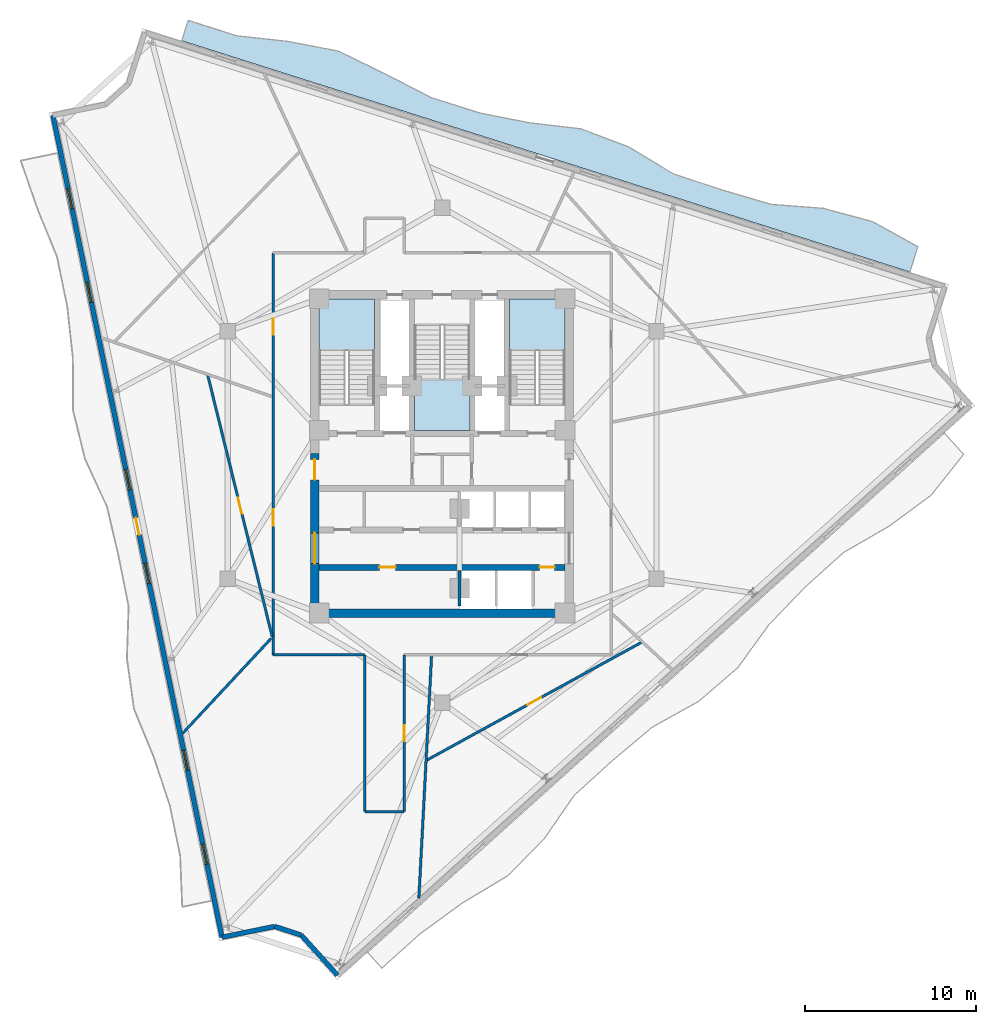
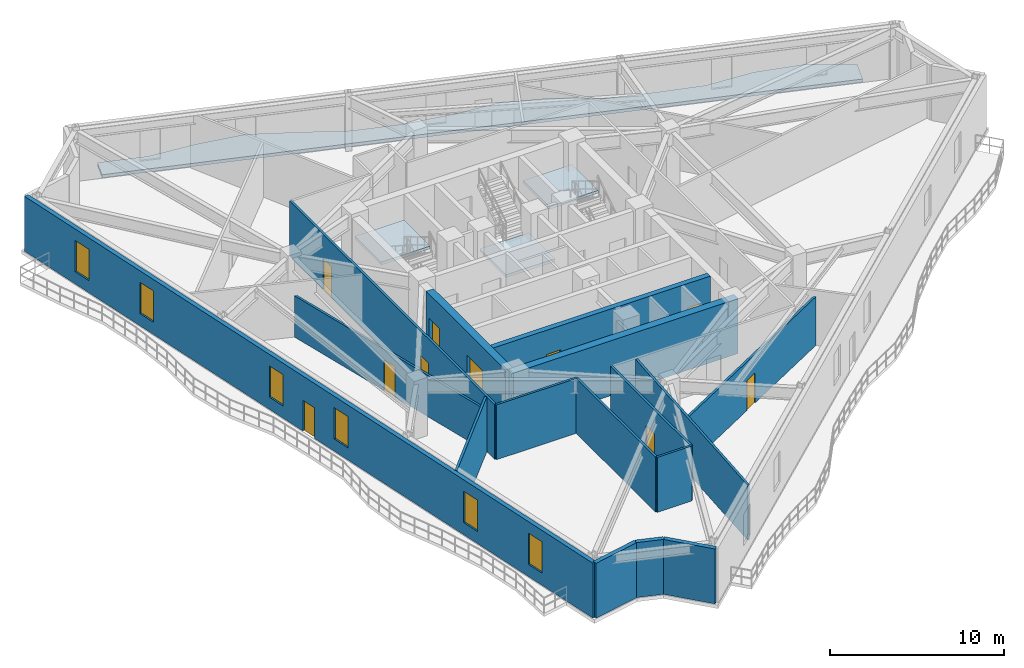
# One storey, part 5 of 12: 17 walls, 10 doors, 6 windows, 4 slabs, 16 openings, 3 elements without a shape of their own.
"""IFC4 building model written with IfcOpenShell, lengths in metres."""

from ifc_helpers import new_model, si_unit, direction, frame, frame_2d, origin, place, context, subcontext, project, spatial, polyline, rectangle, outline, extrude, material, layer, layer_set, type_object, element, fill, aggregate, save


model = new_model("IFC4")

# Units and contexts
model_context = context("Model", 3, precision=1e-05, world=origin(), true_north=direction((0.0, 1.0)))
body_context = subcontext(model_context, "Body", "Model", "MODEL_VIEW")
ifc_project = project(units=[si_unit("LENGTHUNIT", "METRE"), si_unit("AREAUNIT", "SQUARE_METRE"), si_unit("VOLUMEUNIT", "CUBIC_METRE"), si_unit("PLANEANGLEUNIT", "RADIAN"), si_unit("MASSUNIT", "GRAM", prefix="KILO")], contexts=[model_context])

# Site, building, storey
site_placement = place(None, origin())
site = spatial("IfcSite", under=ifc_project, at=site_placement, CompositionType="ELEMENT")
building_placement = place(site_placement, origin())
building = spatial("IfcBuilding", under=site, at=building_placement, Name="Apsidion Concourse Tower", CompositionType="ELEMENT")
storey_placement = place(building_placement, frame((0.0, 0.0, 248.60009765625)))
storey = spatial("IfcBuildingStorey", under=building, at=storey_placement, Name="L58", CompositionType="ELEMENT", Elevation=248.60009765625)

# Slab
ifc_material_1 = material(Name="Concrete C50/60", Category="concrete")
ifc_layer_1 = layer(ifc_material_1, 0.219970703125)
ifc_layer_set_1 = layer_set([ifc_layer_1], Name="Concrete C50/60")
slab_type_1 = type_object("IfcSlabType", Name="SL-BAL-220", PredefinedType="FLOOR", material=ifc_layer_set_1)
slab_1_placement = place(storey_placement, frame((0.0, 0.0, -0.22021484375)))
element("IfcSlab", 1, at=slab_1_placement, inside=storey, type_object=slab_type_1, Name="L58 Face 3 Rippling Balcony Slab", PredefinedType="FLOOR", context=body_context, shape_type="SweptSolid", body=[
    extrude(outline(polyline([(27.39599609375, 10.727294921875), (24.552978515625, 11.63037109375), (21.7099609375, 12.533447265625), (18.86669921875, 13.436279296875), (16.023681640625, 14.33935546875), (13.1806640625, 15.2421875), (10.337646484375, 16.145263671875), (7.49462890625, 17.04833984375), (4.651611328125, 17.951416015625), (1.80859375, 18.854248046875), (-1.03466796875, 19.75732421875), (-3.877685546875, 20.660400390625), (-6.720703125, 21.563232421875), (-9.563720703125, 22.46630859375), (-12.40673828125, 23.369140625), (-15.25, 24.272216796875), (-14.87158203125, 25.463623046875), (-12.028564453125, 24.560546875), (-9.00390625, 24.229248046875), (-6.055419921875, 23.657958984375), (-3.3466796875, 22.33203125), (-0.65625, 20.948486328125), (2.186767578125, 20.045654296875), (5.131103515625, 19.461669921875), (8.14892578125, 19.1083984375), (10.940185546875, 18.042724609375), (13.568603515625, 16.463623046875), (16.402099609375, 15.53076171875), (19.264404296875, 14.68798828125), (22.320068359375, 14.45458984375), (25.203369140625, 13.678466796875), (27.865234375, 12.20458984375), (27.39599609375, 10.727294921875)])), origin(), (0.0, 0.0, 1.0), 0.22021484375),
])

# Stair, slab
ifc_material_2 = material(Name="Precast concrete C40/50", Category="concrete")
stair_type = type_object("IfcStairType", Name="ST-DL-1550", PredefinedType="HALF_TURN_STAIR", material=ifc_material_2)
stair_1_placement = place(storey_placement, origin())
stair_1 = element("IfcStair", 2, at=stair_1_placement, inside=storey, type_object=stair_type, Name="L58 Protected Core Exit Stair ST1", PredefinedType="HALF_TURN_STAIR")
ifc_layer_2 = layer(ifc_material_1, 0.199951171875)
ifc_layer_set_2 = layer_set([ifc_layer_2], Name="Concrete C50/60")
slab_type_2 = type_object("IfcSlabType", Name="SL-ST-LAND-200", PredefinedType="LANDING", material=ifc_layer_set_2)
slab_2_placement = place(storey_placement, frame((0.0, 0.0, 1.849853515625)))
slab_2 = element("IfcSlab", 3, at=slab_2_placement, type_object=slab_type_2, Name="ST1 landing 1", PredefinedType="LANDING", context=body_context, shape_type="SweptSolid", body=[
    extrude(outline(polyline([(-3.949951171875, 6.135009765625), (-3.949951171875, 9.14990234375), (-7.199951171875, 9.14990234375), (-7.199951171875, 6.135009765625), (-3.949951171875, 6.135009765625)])), origin(), (0.0, 0.0, 1.0), 0.199951171875),
])
aggregate(stair_1, [slab_2])

stair_2_placement = place(storey_placement, origin())
stair_2 = element("IfcStair", 4, at=stair_2_placement, inside=storey, type_object=stair_type, Name="L58 Protected Core Exit Stair ST2", PredefinedType="HALF_TURN_STAIR")
slab_3_placement = place(storey_placement, frame((0.0, 0.0, 1.849853515625)))
slab_3 = element("IfcSlab", 5, at=slab_3_placement, type_object=slab_type_2, Name="ST2 landing 1", PredefinedType="LANDING", context=body_context, shape_type="SweptSolid", body=[
    extrude(outline(polyline([(7.199951171875, 6.135009765625), (7.199951171875, 9.14990234375), (3.949951171875, 9.14990234375), (3.949951171875, 6.135009765625), (7.199951171875, 6.135009765625)])), origin(), (0.0, 0.0, 1.0), 0.199951171875),
])
aggregate(stair_2, [slab_3])

stair_3_placement = place(storey_placement, origin())
stair_3 = element("IfcStair", 6, at=stair_3_placement, inside=storey, type_object=stair_type, Name="L58 Protected Core Exit Stair ST3", PredefinedType="HALF_TURN_STAIR")
slab_4_placement = place(storey_placement, frame((0.0, 0.0, 1.849853515625)))
slab_4 = element("IfcSlab", 7, at=slab_4_placement, type_object=slab_type_2, Name="ST3 landing 1", PredefinedType="LANDING", context=body_context, shape_type="SweptSolid", body=[
    extrude(outline(polyline([(-1.625, 4.465087890625), (-1.625, 1.449951171875), (1.625, 1.449951171875), (1.625, 4.465087890625), (-1.625, 4.465087890625)])), origin(), (0.0, 0.0, 1.0), 0.199951171875),
])
aggregate(stair_3, [slab_4])

# Walls
ifc_layer_3 = layer(ifc_material_2, 0.280029296875)
ifc_layer_set_3 = layer_set([ifc_layer_3], Name="Precast concrete C40/50")
wall_type_1 = type_object("IfcWallType", Name="WL-EXT-280", PredefinedType="STANDARD", material=ifc_layer_set_3)
wall_1_placement = place(storey_placement, frame((-6.13330078125, -30.46044921875, 0.0), z_axis=(0.0, 0.0, 1.0), x_axis=(-0.669131702868, 0.743143838175, 0.0)))
element("IfcWall", 8, at=wall_1_placement, inside=storey, type_object=wall_type_1, Name="L58 Precast Stone Facade Wall 06", PredefinedType="STANDARD", context=body_context, shape_type="SweptSolid", body=[
    extrude(rectangle(XDim=3.150146484375, YDim=0.280029296875, at=frame_2d((1.5751953125, 0.0))), origin(), (0.0, 0.0, 1.0), 3.849853515625),
])
wall_2_placement = place(storey_placement, frame((-8.2412109375, -28.119384765625, 0.0), z_axis=(0.0, 0.0, 1.0), x_axis=(-0.950036767419, 0.312138015231, 0.0)))
element("IfcWall", 9, at=wall_2_placement, inside=storey, type_object=wall_type_1, Name="L58 Precast Stone Facade Wall 07", PredefinedType="STANDARD", context=body_context, shape_type="SweptSolid", body=[
    extrude(rectangle(XDim=1.648681640625, YDim=0.280029296875, at=frame_2d((0.82421875, 0.0))), origin(), (0.0, 0.0, 1.0), 3.849853515625),
])
wall_3_placement = place(storey_placement, frame((-9.8076171875, -27.604736328125, 0.0), z_axis=(0.0, 0.0, 1.0), x_axis=(-0.979505186658, -0.201418939799, 0.0)))
element("IfcWall", 10, at=wall_3_placement, inside=storey, type_object=wall_type_1, Name="L58 Precast Stone Facade Wall 08", PredefinedType="STANDARD", context=body_context, shape_type="SweptSolid", body=[
    extrude(rectangle(XDim=3.150146484375, YDim=0.280029296875, at=frame_2d((1.5751953125, 0.0))), origin(), (0.0, 0.0, 1.0), 3.849853515625),
])

# Wall, openings, door, windows
wall_4_placement = place(storey_placement, frame((-12.893310546875, -28.2392578125, 0.0), z_axis=(0.0, 0.0, 1.0), x_axis=(-0.201426823496, 0.979503565474, 0.0)))
wall_4 = element("IfcWall", 11, at=wall_4_placement, inside=storey, type_object=wall_type_1, Name="L58 Precast Stone Facade Wall 09", PredefinedType="STANDARD", context=body_context, shape_type="SweptSolid", body=[
    extrude(rectangle(XDim=49.145263671875, YDim=0.280029296875, at=frame_2d((24.57275390625, 0.0))), origin(), (0.0, 0.0, 1.0), 3.849853515625),
])
opening_1_placement = place(wall_4_placement, frame((24.072509765625, 0.0, 0.0)))
opening_1 = element("IfcOpeningElement", 12, at=opening_1_placement, cuts=wall_4, Name="Opening D-T1L", PredefinedType="OPENING", context=body_context, shape_type="SweptSolid", body=[
    extrude(rectangle(XDim=1.0, YDim=2.14990234375, at=frame_2d((0.5, 1.074951171875))), frame((0.0, 0.14990234375, 0.0), z_axis=(0.0, -1.0, 0.0), x_axis=(1.0, 0.0, 0.0)), (0.0, 0.0, 1.0), 0.300048828125),
])
opening_2_placement = place(wall_4_placement, frame((4.37255859375, 0.0, 0.85009765625)))
opening_2 = element("IfcOpeningElement", 13, at=opening_2_placement, cuts=wall_4, Name="Opening WN-06", PredefinedType="OPENING", context=body_context, shape_type="SweptSolid", body=[
    extrude(rectangle(XDim=1.199951171875, YDim=2.199951171875, at=frame_2d((0.60009765625, 1.10009765625))), frame((0.0, 0.14990234375, 0.0), z_axis=(0.0, -1.0, 0.0), x_axis=(1.0, 0.0, 0.0)), (0.0, 0.0, 1.0), 0.300048828125),
])
opening_3_placement = place(wall_4_placement, frame((9.97265625, 0.0, 0.85009765625)))
opening_3 = element("IfcOpeningElement", 14, at=opening_3_placement, cuts=wall_4, Name="Opening WN-06", PredefinedType="OPENING", context=body_context, shape_type="SweptSolid", body=[
    extrude(rectangle(XDim=1.199951171875, YDim=2.199951171875, at=frame_2d((0.60009765625, 1.10009765625))), frame((0.0, 0.14990234375, 0.0), z_axis=(0.0, -1.0, 0.0), x_axis=(1.0, 0.0, 0.0)), (0.0, 0.0, 1.0), 0.300048828125),
])
opening_4_placement = place(wall_4_placement, frame((21.172607421875, 0.0, 0.85009765625)))
opening_4 = element("IfcOpeningElement", 15, at=opening_4_placement, cuts=wall_4, Name="Opening WN-06", PredefinedType="OPENING", context=body_context, shape_type="SweptSolid", body=[
    extrude(rectangle(XDim=1.199951171875, YDim=2.199951171875, at=frame_2d((0.60009765625, 1.10009765625))), frame((0.0, 0.14990234375, 0.0), z_axis=(0.0, -1.0, 0.0), x_axis=(1.0, 0.0, 0.0)), (0.0, 0.0, 1.0), 0.300048828125),
])
opening_5_placement = place(wall_4_placement, frame((26.772705078125, 0.0, 0.85009765625)))
opening_5 = element("IfcOpeningElement", 16, at=opening_5_placement, cuts=wall_4, Name="Opening WN-06", PredefinedType="OPENING", context=body_context, shape_type="SweptSolid", body=[
    extrude(rectangle(XDim=1.199951171875, YDim=2.199951171875, at=frame_2d((0.60009765625, 1.10009765625))), frame((0.0, 0.14990234375, 0.0), z_axis=(0.0, -1.0, 0.0), x_axis=(1.0, 0.0, 0.0)), (0.0, 0.0, 1.0), 0.300048828125),
])
opening_6_placement = place(wall_4_placement, frame((37.97265625, 0.0, 0.85009765625)))
opening_6 = element("IfcOpeningElement", 17, at=opening_6_placement, cuts=wall_4, Name="Opening WN-06", PredefinedType="OPENING", context=body_context, shape_type="SweptSolid", body=[
    extrude(rectangle(XDim=1.199951171875, YDim=2.199951171875, at=frame_2d((0.60009765625, 1.10009765625))), frame((0.0, 0.14990234375, 0.0), z_axis=(0.0, -1.0, 0.0), x_axis=(1.0, 0.0, 0.0)), (0.0, 0.0, 1.0), 0.300048828125),
])
opening_7_placement = place(wall_4_placement, frame((43.572509765625, 0.0, 0.85009765625)))
opening_7 = element("IfcOpeningElement", 18, at=opening_7_placement, cuts=wall_4, Name="Opening WN-06", PredefinedType="OPENING", context=body_context, shape_type="SweptSolid", body=[
    extrude(rectangle(XDim=1.199951171875, YDim=2.199951171875, at=frame_2d((0.60009765625, 1.10009765625))), frame((0.0, 0.14990234375, 0.0), z_axis=(0.0, -1.0, 0.0), x_axis=(1.0, 0.0, 0.0)), (0.0, 0.0, 1.0), 0.300048828125),
])
ifc_material_3 = material(Name="Anodised aluminium EN AW-6063 T6", Category="aluminium")
door_type_1 = type_object("IfcDoorType", Name="DR-TER-1022L", OperationType="SINGLE_SWING_LEFT", PredefinedType="DOOR", material=ifc_material_3)
door_1_placement = place(opening_1_placement, origin())
door_1 = element("IfcDoor", 19, at=door_1_placement, inside=storey, type_object=door_type_1, Name="L58 Balcony Access Door 1", OperationType="SINGLE_SWING_LEFT", OverallHeight=2.14990234375, OverallWidth=1.0, PredefinedType="DOOR", context=body_context, shape_type="SweptSolid", body=[
    extrude(rectangle(XDim=1.0, YDim=2.14990234375, at=frame_2d((0.5, 1.074951171875))), frame((0.0, 0.02490234375, 0.0), z_axis=(0.0, -1.0, 0.0), x_axis=(1.0, 0.0, 0.0)), (0.0, 0.0, 1.0), 0.050048828125),
])
fill(opening_1, door_1)
ifc_material_4 = material(Name="Insulated laminated low-E glass", Category="glass")
window_type = type_object("IfcWindowType", Name="WN-OFF-1224", PartitioningType="SINGLE_PANEL", PredefinedType="WINDOW", material=ifc_material_4)
window_1_placement = place(opening_2_placement, origin())
window_1 = element("IfcWindow", 20, at=window_1_placement, inside=storey, type_object=window_type, Name="L58 Punched Facade Window 9-01", OverallHeight=2.199951171875, OverallWidth=1.199951171875, PartitioningType="SINGLE_PANEL", PredefinedType="WINDOW", context=body_context, shape_type="SweptSolid", body=[
    extrude(rectangle(XDim=1.199951171875, YDim=2.199951171875, at=frame_2d((0.60009765625, 1.10009765625))), frame((0.0, 0.030029296875, 0.0), z_axis=(0.0, -1.0, 0.0), x_axis=(1.0, 0.0, 0.0)), (0.0, 0.0, 1.0), 0.06005859375),
])
fill(opening_2, window_1)
window_2_placement = place(opening_3_placement, origin())
window_2 = element("IfcWindow", 21, at=window_2_placement, inside=storey, type_object=window_type, Name="L58 Punched Facade Window 9-02", OverallHeight=2.199951171875, OverallWidth=1.199951171875, PartitioningType="SINGLE_PANEL", PredefinedType="WINDOW", context=body_context, shape_type="SweptSolid", body=[
    extrude(rectangle(XDim=1.199951171875, YDim=2.199951171875, at=frame_2d((0.60009765625, 1.10009765625))), frame((0.0, 0.030029296875, 0.0), z_axis=(0.0, -1.0, 0.0), x_axis=(1.0, 0.0, 0.0)), (0.0, 0.0, 1.0), 0.06005859375),
])
fill(opening_3, window_2)
window_3_placement = place(opening_4_placement, origin())
window_3 = element("IfcWindow", 22, at=window_3_placement, inside=storey, type_object=window_type, Name="L58 Punched Facade Window 9-04", OverallHeight=2.199951171875, OverallWidth=1.199951171875, PartitioningType="SINGLE_PANEL", PredefinedType="WINDOW", context=body_context, shape_type="SweptSolid", body=[
    extrude(rectangle(XDim=1.199951171875, YDim=2.199951171875, at=frame_2d((0.60009765625, 1.10009765625))), frame((0.0, 0.030029296875, 0.0), z_axis=(0.0, -1.0, 0.0), x_axis=(1.0, 0.0, 0.0)), (0.0, 0.0, 1.0), 0.06005859375),
])
fill(opening_4, window_3)
window_4_placement = place(opening_5_placement, origin())
window_4 = element("IfcWindow", 23, at=window_4_placement, inside=storey, type_object=window_type, Name="L58 Punched Facade Window 9-05", OverallHeight=2.199951171875, OverallWidth=1.199951171875, PartitioningType="SINGLE_PANEL", PredefinedType="WINDOW", context=body_context, shape_type="SweptSolid", body=[
    extrude(rectangle(XDim=1.199951171875, YDim=2.199951171875, at=frame_2d((0.60009765625, 1.10009765625))), frame((0.0, 0.030029296875, 0.0), z_axis=(0.0, -1.0, 0.0), x_axis=(1.0, 0.0, 0.0)), (0.0, 0.0, 1.0), 0.06005859375),
])
fill(opening_5, window_4)
window_5_placement = place(opening_6_placement, origin())
window_5 = element("IfcWindow", 24, at=window_5_placement, inside=storey, type_object=window_type, Name="L58 Punched Facade Window 9-07", OverallHeight=2.199951171875, OverallWidth=1.199951171875, PartitioningType="SINGLE_PANEL", PredefinedType="WINDOW", context=body_context, shape_type="SweptSolid", body=[
    extrude(rectangle(XDim=1.199951171875, YDim=2.199951171875, at=frame_2d((0.60009765625, 1.10009765625))), frame((0.0, 0.030029296875, 0.0), z_axis=(0.0, -1.0, 0.0), x_axis=(1.0, 0.0, 0.0)), (0.0, 0.0, 1.0), 0.06005859375),
])
fill(opening_6, window_5)
window_6_placement = place(opening_7_placement, origin())
window_6 = element("IfcWindow", 25, at=window_6_placement, inside=storey, type_object=window_type, Name="L58 Punched Facade Window 9-08", OverallHeight=2.199951171875, OverallWidth=1.199951171875, PartitioningType="SINGLE_PANEL", PredefinedType="WINDOW", context=body_context, shape_type="SweptSolid", body=[
    extrude(rectangle(XDim=1.199951171875, YDim=2.199951171875, at=frame_2d((0.60009765625, 1.10009765625))), frame((0.0, 0.030029296875, 0.0), z_axis=(0.0, -1.0, 0.0), x_axis=(1.0, 0.0, 0.0)), (0.0, 0.0, 1.0), 0.06005859375),
])
fill(opening_7, window_6)

# Wall
ifc_material_5 = material(Name="Gypsum plasterboard partition")
ifc_layer_4 = layer(ifc_material_5, 0.14990234375)
ifc_layer_set_4 = layer_set([ifc_layer_4], Name="Gypsum plasterboard partition")
wall_type_2 = type_object("IfcWallType", Name="WL-INT-PAR-150", PredefinedType="PARTITIONING", material=ifc_layer_set_4)
wall_5_placement = place(storey_placement, frame((-4.530029296875, -11.699951171875, 0.0), z_axis=(0.0, 0.0, 1.0), x_axis=(-1.0, 0.0, 0.0)))
element("IfcWall", 26, at=wall_5_placement, inside=storey, type_object=wall_type_2, Name="L58 Interior Partition WL-L58-CORR-01", PredefinedType="PARTITIONING", context=body_context, shape_type="SweptSolid", body=[
    extrude(rectangle(XDim=5.369873046875, YDim=0.14990234375, at=frame_2d((2.68505859375, 0.0))), origin(), (0.0, 0.0, 1.0), 3.849853515625),
])

# Wall, openings, doors
wall_6_placement = place(storey_placement, frame((-9.89990234375, -11.699951171875, 0.0), z_axis=(0.0, 0.0, 1.0), x_axis=(0.0, 1.0, 0.0)))
wall_6 = element("IfcWall", 27, at=wall_6_placement, inside=storey, type_object=wall_type_2, Name="L58 Interior Partition WL-L58-CORR-02", PredefinedType="PARTITIONING", context=body_context, shape_type="SweptSolid", body=[
    extrude(rectangle(XDim=23.550048828125, YDim=0.14990234375, at=frame_2d((11.77490234375, 0.0))), origin(), (0.0, 0.0, 1.0), 3.849853515625),
])
opening_8_placement = place(wall_6_placement, frame((7.5673828125, 0.0, 0.0)))
opening_8 = element("IfcOpeningElement", 28, at=opening_8_placement, cuts=wall_6, Name="Opening D-01L", PredefinedType="OPENING", context=body_context, shape_type="SweptSolid", body=[
    extrude(rectangle(XDim=0.949951171875, YDim=2.14990234375, at=frame_2d((0.47509765625, 1.074951171875))), frame((0.0, 0.0849609375, 0.0), z_axis=(0.0, -1.0, 0.0), x_axis=(1.0, 0.0, 0.0)), (0.0, 0.0, 1.0), 0.169921875),
])
opening_9_placement = place(wall_6_placement, frame((18.744140625, 0.0, 0.0)))
opening_9 = element("IfcOpeningElement", 29, at=opening_9_placement, cuts=wall_6, Name="Opening D-01L", PredefinedType="OPENING", context=body_context, shape_type="SweptSolid", body=[
    extrude(rectangle(XDim=0.949951171875, YDim=2.14990234375, at=frame_2d((0.47509765625, 1.074951171875))), frame((0.0, 0.0849609375, 0.0), z_axis=(0.0, -1.0, 0.0), x_axis=(1.0, 0.0, 0.0)), (0.0, 0.0, 1.0), 0.169921875),
])
ifc_material_6 = material(Name="Brushed stainless steel 316", Category="steel")
door_type_2 = type_object("IfcDoorType", Name="DR-INT-D01L", OperationType="SINGLE_SWING_LEFT", PredefinedType="DOOR", material=ifc_material_6)
door_2_placement = place(opening_8_placement, origin())
door_2 = element("IfcDoor", 30, at=door_2_placement, inside=storey, type_object=door_type_2, Name="L58 Corridor Entry Door 01", OperationType="SINGLE_SWING_LEFT", OverallHeight=2.14990234375, OverallWidth=0.949951171875, PredefinedType="DOOR", context=body_context, shape_type="SweptSolid", body=[
    extrude(rectangle(XDim=0.949951171875, YDim=2.14990234375, at=frame_2d((0.47509765625, 1.074951171875))), frame((0.0, 0.02490234375, 0.0), z_axis=(0.0, -1.0, 0.0), x_axis=(1.0, 0.0, 0.0)), (0.0, 0.0, 1.0), 0.050048828125),
])
fill(opening_8, door_2)
door_3_placement = place(opening_9_placement, origin())
door_3 = element("IfcDoor", 31, at=door_3_placement, inside=storey, type_object=door_type_2, Name="L58 Corridor Entry Door 07", OperationType="SINGLE_SWING_LEFT", OverallHeight=2.14990234375, OverallWidth=0.949951171875, PredefinedType="DOOR", context=body_context, shape_type="SweptSolid", body=[
    extrude(rectangle(XDim=0.949951171875, YDim=2.14990234375, at=frame_2d((0.47509765625, 1.074951171875))), frame((0.0, 0.02490234375, 0.0), z_axis=(0.0, -1.0, 0.0), x_axis=(1.0, 0.0, 0.0)), (0.0, 0.0, 1.0), 0.050048828125),
])
fill(opening_9, door_3)

# Wall, opening, door
wall_7_placement = place(storey_placement, frame((-2.219970703125, -11.699951171875, 0.0), z_axis=(0.0, 0.0, 1.0), x_axis=(0.0, -1.0, 0.0)))
wall_7 = element("IfcWall", 32, at=wall_7_placement, inside=storey, type_object=wall_type_2, Name="L58 Interior Partition WL-L58-CORR-10", PredefinedType="PARTITIONING", context=body_context, shape_type="SweptSolid", body=[
    extrude(rectangle(XDim=9.179931640625, YDim=0.14990234375, at=frame_2d((4.58984375, 0.0))), origin(), (0.0, 0.0, 1.0), 3.849853515625),
])
opening_10_placement = place(wall_7_placement, frame((4.114990234375, 0.0, 0.0)))
opening_10 = element("IfcOpeningElement", 33, at=opening_10_placement, cuts=wall_7, Name="Opening D-01R", PredefinedType="OPENING", context=body_context, shape_type="SweptSolid", body=[
    extrude(rectangle(XDim=0.949951171875, YDim=2.14990234375, at=frame_2d((0.47509765625, 1.074951171875))), frame((0.0, 0.0849609375, 0.0), z_axis=(0.0, -1.0, 0.0), x_axis=(1.0, 0.0, 0.0)), (0.0, 0.0, 1.0), 0.169921875),
])
door_type_3 = type_object("IfcDoorType", Name="DR-INT-D01R", OperationType="SINGLE_SWING_RIGHT", PredefinedType="DOOR", material=ifc_material_6)
door_4_placement = place(opening_10_placement, origin())
door_4 = element("IfcDoor", 34, at=door_4_placement, inside=storey, type_object=door_type_3, Name="L58 Corridor Entry Door 02", OperationType="SINGLE_SWING_RIGHT", OverallHeight=2.14990234375, OverallWidth=0.949951171875, PredefinedType="DOOR", context=body_context, shape_type="SweptSolid", body=[
    extrude(rectangle(XDim=0.949951171875, YDim=2.14990234375, at=frame_2d((0.47509765625, 1.074951171875))), frame((0.0, 0.02490234375, 0.0), z_axis=(0.0, -1.0, 0.0), x_axis=(1.0, 0.0, 0.0)), (0.0, 0.0, 1.0), 0.050048828125),
])
fill(opening_10, door_4)

# Walls
wall_8_placement = place(storey_placement, frame((-2.219970703125, -20.8798828125, 0.0), z_axis=(0.0, 0.0, 1.0), x_axis=(-1.0, 0.0, 0.0)))
element("IfcWall", 35, at=wall_8_placement, inside=storey, type_object=wall_type_2, Name="L58 Interior Partition WL-L58-CORR-11", PredefinedType="PARTITIONING", context=body_context, shape_type="SweptSolid", body=[
    extrude(rectangle(XDim=2.31005859375, YDim=0.14990234375, at=frame_2d((1.155029296875, 0.0))), origin(), (0.0, 0.0, 1.0), 3.849853515625),
])
wall_9_placement = place(storey_placement, frame((-4.530029296875, -20.8798828125, 0.0), z_axis=(0.0, 0.0, 1.0), x_axis=(0.0, 1.0, 0.0)))
element("IfcWall", 36, at=wall_9_placement, inside=storey, type_object=wall_type_2, Name="L58 Interior Partition WL-L58-CORR-12", PredefinedType="PARTITIONING", context=body_context, shape_type="SweptSolid", body=[
    extrude(rectangle(XDim=9.179931640625, YDim=0.14990234375, at=frame_2d((4.58984375, 0.0))), origin(), (0.0, 0.0, 1.0), 3.849853515625),
])
wall_10_placement = place(storey_placement, frame((-10.0048828125, -10.72900390625, 0.0), z_axis=(0.0, 0.0, 1.0), x_axis=(-0.681991084944, -0.731360485709, 0.0)))
element("IfcWall", 37, at=wall_10_placement, inside=storey, type_object=wall_type_2, Name="L58 Interior Partition WL-L58-RAD-05-1", PredefinedType="PARTITIONING", context=body_context, shape_type="SweptSolid", body=[
    extrude(rectangle(XDim=7.605712890625, YDim=0.14990234375, at=frame_2d((3.802734375, 0.0))), origin(), (0.0, 0.0, 1.0), 3.849853515625),
])
wall_11_placement = place(storey_placement, frame((-0.61865234375, -11.804931640625, 0.0), z_axis=(0.0, 0.0, 1.0), x_axis=(-0.052330923958, -0.998629798473, 0.0)))
element("IfcWall", 38, at=wall_11_placement, inside=storey, type_object=wall_type_2, Name="L58 Interior Partition WL-L58-RAD-06-1", PredefinedType="PARTITIONING", context=body_context, shape_type="SweptSolid", body=[
    extrude(rectangle(XDim=14.168701171875, YDim=0.14990234375, at=frame_2d((7.08447265625, 0.0))), origin(), (0.0, 0.0, 1.0), 3.849853515625),
])

# Wall, opening, door
wall_12_placement = place(storey_placement, frame((-13.731201171875, 4.70166015625, 0.0), z_axis=(0.0, 0.0, 1.0), x_axis=(0.239406484388, -0.970919427776, 0.0)))
wall_12 = element("IfcWall", 39, at=wall_12_placement, inside=storey, type_object=wall_type_2, Name="L58 Interior Partition WL-L58-CHD-OFWC", PredefinedType="PARTITIONING", context=body_context, shape_type="SweptSolid", body=[
    extrude(rectangle(XDim=15.794189453125, YDim=0.14990234375, at=frame_2d((7.89697265625, 0.0))), origin(), (0.0, 0.0, 1.0), 2.89794921875),
])
opening_11_placement = place(wall_12_placement, frame((7.422119140625, 0.0, 0.0)))
opening_11 = element("IfcOpeningElement", 40, at=opening_11_placement, cuts=wall_12, Name="Opening D-04L", PredefinedType="OPENING", context=body_context, shape_type="SweptSolid", body=[
    extrude(rectangle(XDim=0.949951171875, YDim=2.14990234375, at=frame_2d((0.47509765625, 1.074951171875))), frame((0.0, 0.0849609375, 0.0), z_axis=(0.0, -1.0, 0.0), x_axis=(1.0, 0.0, 0.0)), (0.0, 0.0, 1.0), 0.169921875),
])
door_type_4 = type_object("IfcDoorType", Name="DR-INT-D04L", OperationType="SINGLE_SWING_LEFT", PredefinedType="DOOR", material=ifc_material_6)
door_5_placement = place(opening_11_placement, origin())
door_5 = element("IfcDoor", 41, at=door_5_placement, inside=storey, type_object=door_type_4, Name="L58 Suite Connecting Door OFWC", OperationType="SINGLE_SWING_LEFT", OverallHeight=2.14990234375, OverallWidth=0.949951171875, PredefinedType="DOOR", context=body_context, shape_type="SweptSolid", body=[
    extrude(rectangle(XDim=0.949951171875, YDim=2.14990234375, at=frame_2d((0.47509765625, 1.074951171875))), frame((0.0, 0.02490234375, 0.0), z_axis=(0.0, -1.0, 0.0), x_axis=(1.0, 0.0, 0.0)), (0.0, 0.0, 1.0), 0.050048828125),
])
fill(opening_11, door_5)

wall_13_placement = place(storey_placement, frame((-0.91162109375, -17.874267578125, 0.0), z_axis=(0.0, 0.0, 1.0), x_axis=(0.876692881447, 0.481050508387, 0.0)))
wall_13 = element("IfcWall", 42, at=wall_13_placement, inside=storey, type_object=wall_type_2, Name="L58 Interior Partition WL-L58-CHD-OFS02", PredefinedType="PARTITIONING", context=body_context, shape_type="SweptSolid", body=[
    extrude(rectangle(XDim=14.392578125, YDim=0.14990234375, at=frame_2d((7.1962890625, 0.0))), origin(), (0.0, 0.0, 1.0), 3.414794921875),
])
opening_12_placement = place(wall_13_placement, frame((6.746337890625, 0.0, 0.0)))
opening_12 = element("IfcOpeningElement", 43, at=opening_12_placement, cuts=wall_13, Name="Opening D-02L", PredefinedType="OPENING", context=body_context, shape_type="SweptSolid", body=[
    extrude(rectangle(XDim=0.89990234375, YDim=2.10009765625, at=frame_2d((0.449951171875, 1.050048828125))), frame((0.0, 0.0849609375, 0.0), z_axis=(0.0, -1.0, 0.0), x_axis=(1.0, 0.0, 0.0)), (0.0, 0.0, 1.0), 0.169921875),
])
door_type_5 = type_object("IfcDoorType", Name="DR-INT-D02L", OperationType="SINGLE_SWING_LEFT", PredefinedType="DOOR", material=ifc_material_3)
door_6_placement = place(opening_12_placement, origin())
door_6 = element("IfcDoor", 44, at=door_6_placement, inside=storey, type_object=door_type_5, Name="L58 Suite Connecting Door OFS02", OperationType="SINGLE_SWING_LEFT", OverallHeight=2.10009765625, OverallWidth=0.89990234375, PredefinedType="DOOR", context=body_context, shape_type="SweptSolid", body=[
    extrude(rectangle(XDim=0.89990234375, YDim=2.10009765625, at=frame_2d((0.449951171875, 1.050048828125))), frame((0.0, 0.02490234375, 0.0), z_axis=(0.0, -1.0, 0.0), x_axis=(1.0, 0.0, 0.0)), (0.0, 0.0, 1.0), 0.050048828125),
])
fill(opening_12, door_6)

# Wall
ifc_layer_5 = layer(ifc_material_5, 0.179931640625)
ifc_layer_set_5 = layer_set([ifc_layer_5], Name="Gypsum plasterboard partition")
wall_type_3 = type_object("IfcWallType", Name="WL-INT-PAR-180", PredefinedType="PARTITIONING", material=ifc_layer_set_5)
wall_14_placement = place(storey_placement, frame((1.02490234375, -8.85009765625, 0.0), z_axis=(0.0, 0.0, 1.0), x_axis=(0.0, 1.0, 0.0)))
element("IfcWall", 45, at=wall_14_placement, inside=storey, type_object=wall_type_3, Name="L58 Interior Partition WL-L58-B2END", PredefinedType="PARTITIONING", context=body_context, shape_type="SweptSolid", body=[
    extrude(rectangle(XDim=2.080078125, YDim=0.179931640625, at=frame_2d((1.0400390625, 0.0))), origin(), (0.0, 0.0, 1.0), 2.89794921875),
])

# Wall, openings, doors
ifc_layer_6 = layer(ifc_material_1, 0.35009765625)
ifc_layer_set_6 = layer_set([ifc_layer_6], Name="Concrete C50/60")
wall_type_4 = type_object("IfcWallType", Name="WL-SH-350", PredefinedType="SHEAR", material=ifc_layer_set_6)
wall_15_placement = place(storey_placement, frame((-7.199951171875, -6.570068359375, 0.0), z_axis=(0.0, 0.0, 1.0), x_axis=(1.0, 0.0, 0.0)))
wall_15 = element("IfcWall", 46, at=wall_15_placement, inside=storey, type_object=wall_type_4, Name="L58 Central Core Shear Wall LB", PredefinedType="SHEAR", context=body_context, shape_type="SweptSolid", body=[
    extrude(rectangle(XDim=14.39990234375, YDim=0.35009765625, at=frame_2d((7.199951171875, 0.0))), origin(), (0.0, 0.0, 1.0), 3.849853515625),
])
opening_13_placement = place(wall_15_placement, frame((3.52490234375, 0.0, 0.0)))
opening_13 = element("IfcOpeningElement", 47, at=opening_13_placement, cuts=wall_15, Name="Opening D-04L", PredefinedType="OPENING", context=body_context, shape_type="SweptSolid", body=[
    extrude(rectangle(XDim=0.949951171875, YDim=2.14990234375, at=frame_2d((0.47509765625, 1.074951171875))), frame((0.0, 0.18505859375, 0.0), z_axis=(0.0, -1.0, 0.0), x_axis=(1.0, 0.0, 0.0)), (0.0, 0.0, 1.0), 0.3701171875),
])
opening_14_placement = place(wall_15_placement, frame((12.909912109375, 0.0, 0.0)))
opening_14 = element("IfcOpeningElement", 48, at=opening_14_placement, cuts=wall_15, Name="Opening D-05L", PredefinedType="OPENING", context=body_context, shape_type="SweptSolid", body=[
    extrude(rectangle(XDim=0.8798828125, YDim=2.14990234375, at=frame_2d((0.43994140625, 1.074951171875))), frame((0.0, 0.18505859375, 0.0), z_axis=(0.0, -1.0, 0.0), x_axis=(1.0, 0.0, 0.0)), (0.0, 0.0, 1.0), 0.3701171875),
])
door_7_placement = place(opening_13_placement, origin())
door_7 = element("IfcDoor", 49, at=door_7_placement, inside=storey, type_object=door_type_4, Name="L58 Executive Archive and Mail Room Door", OperationType="SINGLE_SWING_LEFT", OverallHeight=2.14990234375, OverallWidth=0.949951171875, PredefinedType="DOOR", context=body_context, shape_type="SweptSolid", body=[
    extrude(rectangle(XDim=0.949951171875, YDim=2.14990234375, at=frame_2d((0.47509765625, 1.074951171875))), frame((0.0, 0.02490234375, 0.0), z_axis=(0.0, -1.0, 0.0), x_axis=(1.0, 0.0, 0.0)), (0.0, 0.0, 1.0), 0.050048828125),
])
fill(opening_13, door_7)
door_type_6 = type_object("IfcDoorType", Name="DR-INT-D05L", OperationType="SINGLE_SWING_LEFT", PredefinedType="DOOR", material=ifc_material_6)
door_8_placement = place(opening_14_placement, origin())
door_8 = element("IfcDoor", 50, at=door_8_placement, inside=storey, type_object=door_type_6, Name="L58 Cleaners Store Door", OperationType="SINGLE_SWING_LEFT", OverallHeight=2.14990234375, OverallWidth=0.8798828125, PredefinedType="DOOR", context=body_context, shape_type="SweptSolid", body=[
    extrude(rectangle(XDim=0.8798828125, YDim=2.14990234375, at=frame_2d((0.43994140625, 1.074951171875))), frame((0.0, 0.02490234375, 0.0), z_axis=(0.0, -1.0, 0.0), x_axis=(1.0, 0.0, 0.0)), (0.0, 0.0, 1.0), 0.050048828125),
])
fill(opening_14, door_8)

ifc_layer_7 = layer(ifc_material_1, 0.5)
ifc_layer_set_7 = layer_set([ifc_layer_7], Name="Concrete C50/60")
wall_type_5 = type_object("IfcWallType", Name="WL-SH-500", PredefinedType="SHEAR", material=ifc_layer_set_7)
wall_16_placement = place(storey_placement, frame((-7.449951171875, -9.0, 0.0), z_axis=(0.0, 0.0, 1.0), x_axis=(0.0, 1.0, 0.0)))
wall_16 = element("IfcWall", 51, at=wall_16_placement, inside=storey, type_object=wall_type_5, Name="L58 Central Core Shear Wall WS", PredefinedType="SHEAR", context=body_context, shape_type="SweptSolid", body=[
    extrude(rectangle(XDim=9.10009765625, YDim=0.5, at=frame_2d((4.550048828125, 0.0))), origin(), (0.0, 0.0, 1.0), 3.849853515625),
])
opening_15_placement = place(wall_16_placement, frame((2.639892578125, 0.0, 0.0)))
opening_15 = element("IfcOpeningElement", 52, at=opening_15_placement, cuts=wall_16, Name="Opening D-06D", PredefinedType="OPENING", context=body_context, shape_type="SweptSolid", body=[
    extrude(rectangle(XDim=1.800048828125, YDim=2.199951171875, at=frame_2d((0.89990234375, 1.10009765625))), frame((0.0, 0.260009765625, 0.0), z_axis=(0.0, -1.0, 0.0), x_axis=(1.0, 0.0, 0.0)), (0.0, 0.0, 1.0), 0.52001953125),
])
opening_16_placement = place(wall_16_placement, frame((7.550048828125, 0.0, 0.0)))
opening_16 = element("IfcOpeningElement", 53, at=opening_16_placement, cuts=wall_16, Name="Opening D-FFL", PredefinedType="OPENING", context=body_context, shape_type="SweptSolid", body=[
    extrude(rectangle(XDim=1.199951171875, YDim=2.14990234375, at=frame_2d((0.60009765625, 1.074951171875))), frame((0.0, 0.260009765625, 0.0), z_axis=(0.0, -1.0, 0.0), x_axis=(1.0, 0.0, 0.0)), (0.0, 0.0, 1.0), 0.52001953125),
])
door_type_7 = type_object("IfcDoorType", Name="DR-INT-D06D", OperationType="DOUBLE_DOOR_SINGLE_SWING", PredefinedType="DOOR", material=ifc_material_6)
door_9_placement = place(opening_15_placement, origin())
door_9 = element("IfcDoor", 54, at=door_9_placement, inside=storey, type_object=door_type_7, Name="L58 Passenger Lift Lobby WS Portal Door", OperationType="DOUBLE_DOOR_SINGLE_SWING", OverallHeight=2.199951171875, OverallWidth=1.800048828125, PredefinedType="DOOR", context=body_context, shape_type="SweptSolid", body=[
    extrude(rectangle(XDim=1.800048828125, YDim=2.199951171875, at=frame_2d((0.89990234375, 1.10009765625))), frame((0.0, 0.02490234375, 0.0), z_axis=(0.0, -1.0, 0.0), x_axis=(1.0, 0.0, 0.0)), (0.0, 0.0, 1.0), 0.050048828125),
])
fill(opening_15, door_9)
door_type_8 = type_object("IfcDoorType", Name="DR-INT-FFL", OperationType="SINGLE_SWING_LEFT", PredefinedType="DOOR", material=ifc_material_6)
door_10_placement = place(opening_16_placement, origin())
door_10 = element("IfcDoor", 55, at=door_10_placement, inside=storey, type_object=door_type_8, Name="L58 Firefighting Lift Lobby FF1 Door", OperationType="SINGLE_SWING_LEFT", OverallHeight=2.14990234375, OverallWidth=1.199951171875, PredefinedType="DOOR", context=body_context, shape_type="SweptSolid", body=[
    extrude(rectangle(XDim=1.199951171875, YDim=2.14990234375, at=frame_2d((0.60009765625, 1.074951171875))), frame((0.0, 0.02490234375, 0.0), z_axis=(0.0, -1.0, 0.0), x_axis=(1.0, 0.0, 0.0)), (0.0, 0.0, 1.0), 0.050048828125),
])
fill(opening_16, door_10)

# Wall
wall_17_placement = place(storey_placement, frame((-7.449951171875, -9.25, 0.0), z_axis=(0.0, 0.0, 1.0), x_axis=(1.0, 0.0, 0.0)))
element("IfcWall", 56, at=wall_17_placement, inside=storey, type_object=wall_type_5, Name="L58 Central Core Shear Wall S", PredefinedType="SHEAR", context=body_context, shape_type="SweptSolid", body=[
    extrude(rectangle(XDim=14.89990234375, YDim=0.5, at=frame_2d((7.449951171875, 0.0))), origin(), (0.0, 0.0, 1.0), 3.849853515625),
])

save(model, "model.ifc")
